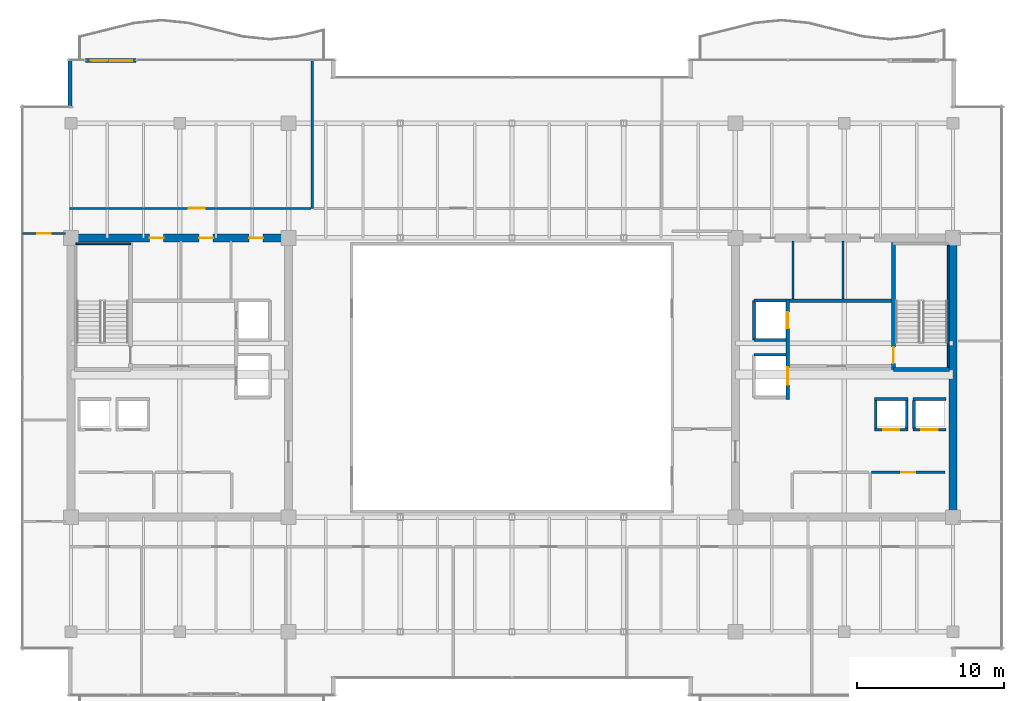
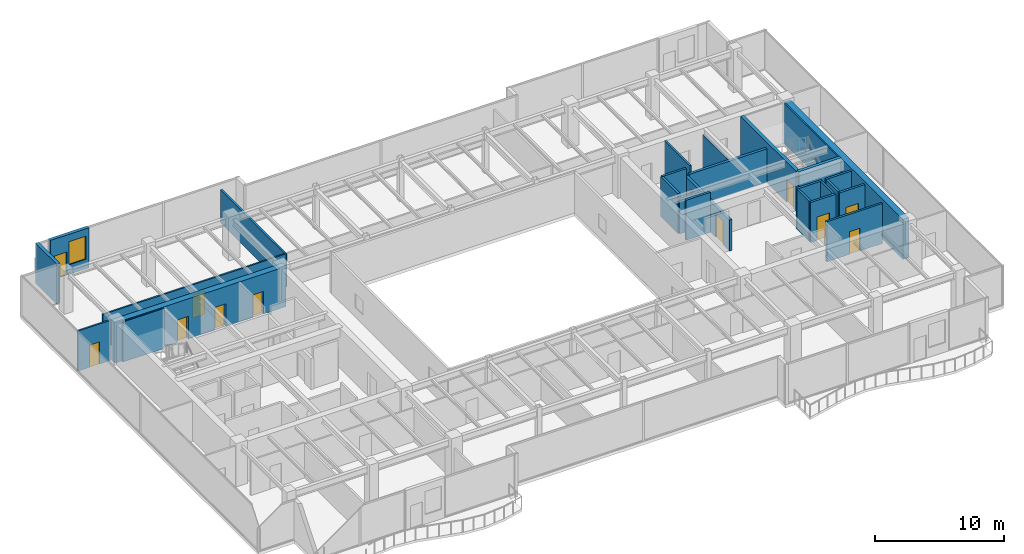
# One storey, part 30 of 34: 27 walls, 12 doors, 1 window, 13 openings.
"""IFC4 building model written with IfcOpenShell, lengths in metres."""

from ifc_helpers import new_model, si_unit, direction, frame, frame_2d, origin, place, context, subcontext, project, spatial, rectangle, extrude, source, transform, mapped, material, layer, layer_set, type_object, type_shapes, element, fill, save


model = new_model("IFC4")

# Units and contexts
model_context = context("Model", 3, precision=1e-05, world=origin(), true_north=direction((0.0, 1.0)))
body_context = subcontext(model_context, "Body", "Model", "MODEL_VIEW")
ifc_project = project(units=[si_unit("LENGTHUNIT", "METRE"), si_unit("AREAUNIT", "SQUARE_METRE"), si_unit("VOLUMEUNIT", "CUBIC_METRE"), si_unit("PLANEANGLEUNIT", "RADIAN"), si_unit("MASSUNIT", "GRAM", prefix="KILO")], contexts=[model_context])

# Site, building, storey
site_placement = place(None, origin())
site = spatial("IfcSite", under=ifc_project, at=site_placement, CompositionType="ELEMENT")
building_placement = place(site_placement, origin())
building = spatial("IfcBuilding", under=site, at=building_placement, Name="Haelvirn Gate Laboratories", CompositionType="ELEMENT")
storey_placement = place(building_placement, frame((0.0, 0.0, 205.5)))
storey = spatial("IfcBuildingStorey", under=building, at=storey_placement, Name="L49", CompositionType="ELEMENT", Elevation=205.5)

# Wall, openings, door, window
ifc_material_1 = material(Name="Thermally-broken bronze aluminium rainscreen & mineral wool", Category="aluminium")
ifc_layer_1 = layer(ifc_material_1, 0.280029296875, Name="EW-TERR-280")
ifc_layer_set_1 = layer_set([ifc_layer_1], Name="Thermally-broken bronze aluminium rainscreen & mineral wool")
wall_type_1 = type_object("IfcWallType", Name="EW-TERR-280", PredefinedType="STANDARD", material=ifc_layer_set_1)
wall_1_placement = place(storey_placement, frame((8.3720703125, 45.860107421875, 0.0), z_axis=(0.0, 0.0, 1.0), x_axis=(1.0, 0.0, 0.0)))
wall_1 = element("IfcWall", 1, at=wall_1_placement, inside=storey, type_object=wall_type_1, Name="L49 Terrace Access Wall WB-WL-N", PredefinedType="STANDARD", context=body_context, shape_type="SweptSolid", body=[
    extrude(rectangle(XDim=3.455810546875, YDim=0.280029296875, at=frame_2d((1.72802734375, 0.0))), origin(), (0.0, 0.0, 1.0), 3.800048828125),
])
opening_1_placement = place(wall_1_placement, frame((0.3779296875, 0.0, 0.0)))
opening_1 = element("IfcOpeningElement", 2, at=opening_1_placement, cuts=wall_1, Name="Opening TD1", PredefinedType="OPENING", context=body_context, shape_type="SweptSolid", body=[
    extrude(rectangle(XDim=1.10009765625, YDim=2.199951171875, at=frame_2d((0.550048828125, 1.10009765625))), frame((0.0, 0.14990234375, 0.0), z_axis=(0.0, -1.0, 0.0), x_axis=(1.0, 0.0, 0.0)), (0.0, 0.0, 1.0), 0.300048828125),
])
opening_2_placement = place(wall_1_placement, frame((1.677978515625, 0.0, 0.89990234375)))
opening_2 = element("IfcOpeningElement", 3, at=opening_2_placement, cuts=wall_1, Name="Opening W3", PredefinedType="OPENING", context=body_context, shape_type="SweptSolid", body=[
    extrude(rectangle(XDim=1.5, YDim=2.199951171875, at=frame_2d((0.75, 1.10009765625))), frame((0.0, 0.14990234375, 0.0), z_axis=(0.0, -1.0, 0.0), x_axis=(1.0, 0.0, 0.0)), (0.0, 0.0, 1.0), 0.300048828125),
])
ifc_material_2 = material(Name="Thermally-broken bronze aluminium glazed terrace door", Category="aluminium")
door_type_1 = type_object("IfcDoorType", Name="DR-TERR-1100", OperationType="NOTDEFINED", PredefinedType="DOOR", material=ifc_material_2)
shared_shape_1 = source(origin(), body_context, "Body", "SweptSolid", [
    extrude(rectangle(XDim=1.10009765625, YDim=2.199951171875, at=frame_2d((0.550048828125, 1.10009765625))), frame((0.0, 0.02490234375, 0.0), z_axis=(0.0, -1.0, 0.0), x_axis=(1.0, 0.0, 0.0)), (0.0, 0.0, 1.0), 0.050048828125),
])
type_shapes(door_type_1, [shared_shape_1])
door_1_placement = place(opening_1_placement, origin())
door_1 = element("IfcDoor", 4, at=door_1_placement, inside=storey, type_object=door_type_1, Name="L49 Terrace Access Door WB-WL-N", OperationType="SINGLE_SWING_RIGHT", OverallHeight=2.199951171875, OverallWidth=1.10009765625, PredefinedType="DOOR", context=body_context, shape_type="MappedRepresentation", body=[
    mapped(shared_shape_1, transform((0.0, 0.0, 0.0), scale=1.0)),
])
fill(opening_1, door_1)
ifc_material_3 = material(Name="Bronze anodised aluminium & triple low-E glass", Category="aluminium")
window_type = type_object("IfcWindowType", Name="WIN-TERR-1600", PartitioningType="SINGLE_PANEL", PredefinedType="WINDOW", material=ifc_material_3)
shared_shape_2 = source(origin(), body_context, "Body", "SweptSolid", [
    extrude(rectangle(XDim=1.5, YDim=2.199951171875, at=frame_2d((0.75, 1.10009765625))), frame((0.0, 0.030029296875, 0.0), z_axis=(0.0, -1.0, 0.0), x_axis=(1.0, 0.0, 0.0)), (0.0, 0.0, 1.0), 0.06005859375),
])
type_shapes(window_type, [shared_shape_2])
window_placement = place(opening_2_placement, origin())
window = element("IfcWindow", 5, at=window_placement, inside=storey, type_object=window_type, Name="L49 Terrace Vision Window WB-WL-N", OverallHeight=2.199951171875, OverallWidth=1.5, PartitioningType="SINGLE_PANEL", PredefinedType="WINDOW", context=body_context, shape_type="MappedRepresentation", body=[
    mapped(shared_shape_2, transform((0.0, 0.0, 0.0), scale=1.0)),
])
fill(opening_2, window)

# Walls
wall_2_placement = place(storey_placement, frame((7.340087890625, 46.0, 0.0), z_axis=(0.0, 0.0, 1.0), x_axis=(0.0, -1.0, 0.0)))
element("IfcWall", 6, at=wall_2_placement, inside=storey, type_object=wall_type_1, Name="L49 Atrium Recess Bronze Return Wall 15", PredefinedType="STANDARD", context=body_context, shape_type="SweptSolid", body=[
    extrude(rectangle(XDim=3.2880859375, YDim=0.280029296875, at=frame_2d((1.64404296875, 0.0))), origin(), (0.0, 0.0, 1.0), 3.800048828125),
])
ifc_material_4 = material(Name="Double-layer acoustic gypsum laboratory partition", Category="gypsum")
ifc_layer_2 = layer(ifc_material_4, 0.159912109375, Name="IW-ACOUST-160")
ifc_layer_set_2 = layer_set([ifc_layer_2], Name="Double-layer acoustic gypsum laboratory partition")
wall_type_2 = type_object("IfcWallType", Name="IW-ACOUST-160", PredefinedType="PARTITIONING", material=ifc_layer_set_2)
wall_3_placement = place(storey_placement, frame((23.800048828125, 35.81005859375, 0.0), z_axis=(0.0, 0.0, 1.0), x_axis=(0.0, 1.0, 0.0)))
element("IfcWall", 7, at=wall_3_placement, inside=storey, type_object=wall_type_2, Name="L49 Interior Wall IW-L49-NDIV-01", PredefinedType="PARTITIONING", context=body_context, shape_type="SweptSolid", body=[
    extrude(rectangle(XDim=10.079833984375, YDim=0.159912109375, at=frame_2d((5.0400390625, 0.0))), origin(), (0.0, 0.0, 1.0), 3.135009765625),
])

# Wall, opening, door
ifc_material_5 = material(Name="Acoustic mineral-wool gypsum board partition", Category="gypsum")
ifc_layer_3 = layer(ifc_material_5, 0.139892578125, Name="IW-PART-140")
ifc_layer_set_3 = layer_set([ifc_layer_3], Name="Acoustic mineral-wool gypsum board partition")
wall_type_3 = type_object("IfcWallType", Name="IW-PART-140", PredefinedType="PARTITIONING", material=ifc_layer_set_3)
wall_4_placement = place(storey_placement, frame((7.31005859375, 35.81005859375, 0.0), z_axis=(0.0, 0.0, 1.0), x_axis=(1.0, 0.0, 0.0)))
wall_4 = element("IfcWall", 8, at=wall_4_placement, inside=storey, type_object=wall_type_3, Name="L49 Interior Wall IW-L49-NCORR-01", PredefinedType="PARTITIONING", context=body_context, shape_type="SweptSolid", body=[
    extrude(rectangle(XDim=16.409912109375, YDim=0.139892578125, at=frame_2d((8.205078125, 0.0))), origin(), (0.0, 0.0, 1.0), 3.197021484375),
])
opening_3_placement = place(wall_4_placement, frame((8.09326171875, 0.0, 0.0)))
opening_3 = element("IfcOpeningElement", 9, at=opening_3_placement, cuts=wall_4, Name="Opening D1", PredefinedType="OPENING", context=body_context, shape_type="SweptSolid", body=[
    extrude(rectangle(XDim=1.10009765625, YDim=2.179931640625, at=frame_2d((0.550048828125, 1.08984375))), frame((0.0, 0.080078125, 0.0), z_axis=(0.0, -1.0, 0.0), x_axis=(1.0, 0.0, 0.0)), (0.0, 0.0, 1.0), 0.159912109375),
])
ifc_material_6 = material(Name="Vision-panel acoustic solid-core timber lab door", Category="wood")
door_type_2 = type_object("IfcDoorType", Name="DR-LAB-1100", OperationType="NOTDEFINED", PredefinedType="DOOR", material=ifc_material_6)
shared_shape_3 = source(origin(), body_context, "Body", "SweptSolid", [
    extrude(rectangle(XDim=1.10009765625, YDim=2.179931640625, at=frame_2d((0.550048828125, 1.08984375))), frame((0.0, 0.02490234375, 0.0), z_axis=(0.0, -1.0, 0.0), x_axis=(1.0, 0.0, 0.0)), (0.0, 0.0, 1.0), 0.050048828125),
])
type_shapes(door_type_2, [shared_shape_3])
door_2_placement = place(opening_3_placement, origin())
door_2 = element("IfcDoor", 10, at=door_2_placement, inside=storey, type_object=door_type_2, Name="L49 Floor Hydration & Tea Servery Door N1", OperationType="SINGLE_SWING_LEFT", OverallHeight=2.179931640625, OverallWidth=1.10009765625, PredefinedType="DOOR", context=body_context, shape_type="MappedRepresentation", body=[
    mapped(shared_shape_3, transform((0.0, 0.0, 0.0), scale=1.0)),
])
fill(opening_3, door_2)

wall_5_placement = place(storey_placement, frame((4.110107421875, 34.094970703125, 0.0), z_axis=(0.0, 0.0, 1.0), x_axis=(1.0, 0.0, 0.0)))
wall_5 = element("IfcWall", 11, at=wall_5_placement, inside=storey, type_object=wall_type_3, Name="L49 Interior Wall IW-L49-WZ3-ENT-N", PredefinedType="PARTITIONING", context=body_context, shape_type="SweptSolid", body=[
    extrude(rectangle(XDim=2.909912109375, YDim=0.139892578125, at=frame_2d((1.455078125, 0.0))), origin(), (0.0, 0.0, 1.0), 3.800048828125),
])
opening_4_placement = place(wall_5_placement, frame((1.0048828125, 0.0, 0.0)))
opening_4 = element("IfcOpeningElement", 12, at=opening_4_placement, cuts=wall_5, Name="Opening D4", PredefinedType="OPENING", context=body_context, shape_type="SweptSolid", body=[
    extrude(rectangle(XDim=0.89990234375, YDim=2.10009765625, at=frame_2d((0.449951171875, 1.050048828125))), frame((0.0, 0.080078125, 0.0), z_axis=(0.0, -1.0, 0.0), x_axis=(1.0, 0.0, 0.0)), (0.0, 0.0, 1.0), 0.159912109375),
])
ifc_material_7 = material(Name="Glazed aluminium-framed write-up door", Category="aluminium")
door_type_3 = type_object("IfcDoorType", Name="DR-OFF-900", OperationType="NOTDEFINED", PredefinedType="DOOR", material=ifc_material_7)
shared_shape_4 = source(origin(), body_context, "Body", "SweptSolid", [
    extrude(rectangle(XDim=0.89990234375, YDim=2.10009765625, at=frame_2d((0.449951171875, 1.050048828125))), frame((0.0, 0.02490234375, 0.0), z_axis=(0.0, -1.0, 0.0), x_axis=(1.0, 0.0, 0.0)), (0.0, 0.0, 1.0), 0.050048828125),
])
type_shapes(door_type_3, [shared_shape_4])
door_3_placement = place(opening_4_placement, origin())
door_3 = element("IfcDoor", 13, at=door_3_placement, inside=storey, type_object=door_type_3, Name="L49 Bioinformatics Dry-Lab Workspace Door W-N", OperationType="SINGLE_SWING_RIGHT", OverallHeight=2.10009765625, OverallWidth=0.89990234375, PredefinedType="DOOR", context=body_context, shape_type="MappedRepresentation", body=[
    mapped(shared_shape_4, transform((0.0, 0.0, 0.0), scale=1.0)),
])
fill(opening_4, door_3)

# Walls
ifc_material_8 = material(Name="Cement-board restroom plumbing chase wall", Category="gypsum")
ifc_layer_4 = layer(ifc_material_8, 0.155029296875, Name="IW-PLUMB-160")
ifc_layer_set_4 = layer_set([ifc_layer_4], Name="Cement-board restroom plumbing chase wall")
wall_type_4 = type_object("IfcWallType", Name="IW-PLUMB-160", PredefinedType="PLUMBINGWALL", material=ifc_layer_set_4)
wall_6_placement = place(storey_placement, frame((59.909912109375, 29.64990234375, 0.0), z_axis=(0.0, 0.0, 1.0), x_axis=(0.0, 1.0, 0.0)))
element("IfcWall", 14, at=wall_6_placement, inside=storey, type_object=wall_type_4, Name="L49 Interior Wall IW-L49-E-CDIV-1", PredefinedType="PLUMBINGWALL", context=body_context, shape_type="SweptSolid", body=[
    extrude(rectangle(XDim=3.93017578125, YDim=0.155029296875, at=frame_2d((1.965087890625, 0.0))), origin(), (0.0, 0.0, 1.0), 3.197021484375),
])
wall_7_placement = place(storey_placement, frame((56.510009765625, 29.64990234375, 0.0), z_axis=(0.0, 0.0, 1.0), x_axis=(0.0, 1.0, 0.0)))
element("IfcWall", 15, at=wall_7_placement, inside=storey, type_object=wall_type_4, Name="L49 Interior Wall IW-L49-E-CDIV-2", PredefinedType="PLUMBINGWALL", context=body_context, shape_type="SweptSolid", body=[
    extrude(rectangle(XDim=3.93017578125, YDim=0.155029296875, at=frame_2d((1.965087890625, 0.0))), origin(), (0.0, 0.0, 1.0), 3.800048828125),
])
ifc_material_9 = material(Name="Concrete C40/50", Category="concrete")
ifc_layer_5 = layer(ifc_material_9, 0.179931640625, Name="IW-SHAFT-180")
ifc_layer_set_5 = layer_set([ifc_layer_5], Name="Concrete C40/50")
wall_type_5 = type_object("IfcWallType", Name="IW-SHAFT-180", PredefinedType="SOLIDWALL", material=ifc_layer_set_5)
for number, where, z_axis, x_axis, name in (
    (16, (64.75, 20.85009765625, 0.0), (0.0, 0.0, 1.0), (0.0, 1.0, 0.0), "L49 Interior Wall IW-L49-PL11-SD"),
    (17, (62.14990234375, 20.85009765625, 0.0), (0.0, 0.0, 1.0), (0.0, 1.0, 0.0), "L49 Interior Wall IW-L49-PL12-SD"),
    (18, (64.25, 20.85009765625, 0.0), (0.0, 0.0, 1.0), (0.0, 1.0, 0.0), "L49 Interior Wall IW-L49-PL12-SDE"),
):
    element("IfcWall", number, at=place(storey_placement, frame(where, z_axis=z_axis, x_axis=x_axis)), inside=storey, type_object=wall_type_5, Name=name, PredefinedType="SOLIDWALL", context=body_context, shape_type="SweptSolid", body=[
        extrude(rectangle(XDim=1.89990234375, YDim=0.179931640625, at=frame_2d((0.949951171875, 0.0))), origin(), (0.0, 0.0, 1.0), 3.800048828125),
    ])

# Wall, opening, door
wall_8_placement = place(storey_placement, frame((61.85009765625, 17.85009765625, 0.0), z_axis=(0.0, 0.0, 1.0), x_axis=(1.0, 0.0, 0.0)))
wall_8 = element("IfcWall", 19, at=wall_8_placement, inside=storey, type_object=wall_type_5, Name="L49 Interior Wall IW-L49-E-FREED-HN-1", PredefinedType="SOLIDWALL", context=body_context, shape_type="SweptSolid", body=[
    extrude(rectangle(XDim=5.0, YDim=0.179931640625, at=frame_2d((2.5, 0.0))), origin(), (0.0, 0.0, 1.0), 3.800048828125),
])
opening_5_placement = place(wall_8_placement, frame((2.02490234375, 0.0, 0.0)))
opening_5 = element("IfcOpeningElement", 20, at=opening_5_placement, cuts=wall_8, Name="Opening FD4", PredefinedType="OPENING", context=body_context, shape_type="SweptSolid", body=[
    extrude(rectangle(XDim=0.949951171875, YDim=2.14990234375, at=frame_2d((0.47509765625, 1.074951171875))), frame((0.0, 0.10009765625, 0.0), z_axis=(0.0, -1.0, 0.0), x_axis=(1.0, 0.0, 0.0)), (0.0, 0.0, 1.0), 0.199951171875),
])
ifc_material_10 = material(Name="Fire-rated steel SM355 core service door", Category="steel")
door_type_4 = type_object("IfcDoorType", Name="DR-FD-950", OperationType="NOTDEFINED", PredefinedType="DOOR", material=ifc_material_10)
shared_shape_5 = source(origin(), body_context, "Body", "SweptSolid", [
    extrude(rectangle(XDim=0.949951171875, YDim=2.14990234375, at=frame_2d((0.47509765625, 1.074951171875))), frame((0.0, 0.02490234375, 0.0), z_axis=(0.0, -1.0, 0.0), x_axis=(1.0, 0.0, 0.0)), (0.0, 0.0, 1.0), 0.050048828125),
])
type_shapes(door_type_4, [shared_shape_5])
door_4_placement = place(opening_5_placement, origin())
door_4 = element("IfcDoor", 21, at=door_4_placement, inside=storey, type_object=door_type_4, Name="L49 Cryogenic Specimen Biobank Door", OperationType="SINGLE_SWING_LEFT", OverallHeight=2.14990234375, OverallWidth=0.949951171875, PredefinedType="DOOR", context=body_context, shape_type="MappedRepresentation", body=[
    mapped(shared_shape_5, transform((0.0, 0.0, 0.0), scale=1.0)),
])
fill(opening_5, door_4)

ifc_layer_6 = layer(ifc_material_9, 0.199951171875, Name="IW-SHAFT-200")
ifc_layer_set_6 = layer_set([ifc_layer_6], Name="Concrete C40/50")
wall_type_6 = type_object("IfcWallType", Name="IW-SHAFT-200", PredefinedType="SOLIDWALL", material=ifc_layer_set_6)
wall_9_placement = place(storey_placement, frame((64.669921875, 20.75, 0.0), z_axis=(0.0, 0.0, 1.0), x_axis=(1.0, 0.0, 0.0)))
wall_9 = element("IfcWall", 22, at=wall_9_placement, inside=storey, type_object=wall_type_6, Name="L49 Interior Wall IW-L49-PL11-FR", PredefinedType="SOLIDWALL", context=body_context, shape_type="SweptSolid", body=[
    extrude(rectangle(XDim=2.260009765625, YDim=0.199951171875, at=frame_2d((1.1298828125, 0.0))), origin(), (0.0, 0.0, 1.0), 3.800048828125),
])
opening_6_placement = place(wall_9_placement, frame((0.580078125, 0.0, 0.0)))
opening_6 = element("IfcOpeningElement", 23, at=opening_6_placement, cuts=wall_9, Name="Opening LD2", PredefinedType="OPENING", context=body_context, shape_type="SweptSolid", body=[
    extrude(rectangle(XDim=1.10009765625, YDim=2.219970703125, at=frame_2d((0.550048828125, 1.10986328125))), frame((0.0, 0.10986328125, 0.0), z_axis=(0.0, -1.0, 0.0), x_axis=(1.0, 0.0, 0.0)), (0.0, 0.0, 1.0), 0.219970703125),
])
ifc_material_11 = material(Name="Bronze stainless 316L sliding lift landing door")
door_type_5 = type_object("IfcDoorType", Name="DR-LD-1100", OperationType="NOTDEFINED", PredefinedType="USERDEFINED", material=ifc_material_11)
shared_shape_6 = source(origin(), body_context, "Body", "SweptSolid", [
    extrude(rectangle(XDim=1.10009765625, YDim=2.219970703125, at=frame_2d((0.550048828125, 1.10986328125))), frame((0.0, 0.02490234375, 0.0), z_axis=(0.0, -1.0, 0.0), x_axis=(1.0, 0.0, 0.0)), (0.0, 0.0, 1.0), 0.050048828125),
])
type_shapes(door_type_5, [shared_shape_6])
door_5_placement = place(opening_6_placement, origin())
door_5 = element("IfcDoor", 24, at=door_5_placement, inside=storey, type_object=door_type_5, Name="L49 Passenger Lift PL11 Landing Door", ObjectType="LANDING_DOOR", OperationType="SLIDING_TO_LEFT", OverallHeight=2.219970703125, OverallWidth=1.10009765625, PredefinedType="USERDEFINED", context=body_context, shape_type="MappedRepresentation", body=[
    mapped(shared_shape_6, transform((0.0, 0.0, 0.0), scale=1.0)),
])
fill(opening_6, door_5)

# Wall
wall_10_placement = place(storey_placement, frame((64.669921875, 22.85009765625, 0.0), z_axis=(0.0, 0.0, 1.0), x_axis=(1.0, 0.0, 0.0)))
element("IfcWall", 25, at=wall_10_placement, inside=storey, type_object=wall_type_6, Name="L49 Interior Wall IW-L49-PL11-BK", PredefinedType="SOLIDWALL", context=body_context, shape_type="SweptSolid", body=[
    extrude(rectangle(XDim=2.260009765625, YDim=0.199951171875, at=frame_2d((1.1298828125, 0.0))), origin(), (0.0, 0.0, 1.0), 3.800048828125),
])

# Wall, opening, door
wall_11_placement = place(storey_placement, frame((62.070068359375, 20.75, 0.0), z_axis=(0.0, 0.0, 1.0), x_axis=(1.0, 0.0, 0.0)))
wall_11 = element("IfcWall", 26, at=wall_11_placement, inside=storey, type_object=wall_type_6, Name="L49 Interior Wall IW-L49-PL12-FR", PredefinedType="SOLIDWALL", context=body_context, shape_type="SweptSolid", body=[
    extrude(rectangle(XDim=2.260009765625, YDim=0.199951171875, at=frame_2d((1.1298828125, 0.0))), origin(), (0.0, 0.0, 1.0), 3.800048828125),
])
opening_7_placement = place(wall_11_placement, frame((0.580078125, 0.0, 0.0)))
opening_7 = element("IfcOpeningElement", 27, at=opening_7_placement, cuts=wall_11, Name="Opening LD2", PredefinedType="OPENING", context=body_context, shape_type="SweptSolid", body=[
    extrude(rectangle(XDim=1.10009765625, YDim=2.219970703125, at=frame_2d((0.550048828125, 1.10986328125))), frame((0.0, 0.10986328125, 0.0), z_axis=(0.0, -1.0, 0.0), x_axis=(1.0, 0.0, 0.0)), (0.0, 0.0, 1.0), 0.219970703125),
])
door_6_placement = place(opening_7_placement, origin())
door_6 = element("IfcDoor", 28, at=door_6_placement, inside=storey, type_object=door_type_5, Name="L49 Passenger Lift PL12 Landing Door", ObjectType="LANDING_DOOR", OperationType="SLIDING_TO_RIGHT", OverallHeight=2.219970703125, OverallWidth=1.10009765625, PredefinedType="USERDEFINED", context=body_context, shape_type="MappedRepresentation", body=[
    mapped(shared_shape_6, transform((0.0, 0.0, 0.0), scale=1.0)),
])
fill(opening_7, door_6)

# Walls
wall_12_placement = place(storey_placement, frame((62.070068359375, 22.85009765625, 0.0), z_axis=(0.0, 0.0, 1.0), x_axis=(1.0, 0.0, 0.0)))
element("IfcWall", 29, at=wall_12_placement, inside=storey, type_object=wall_type_6, Name="L49 Interior Wall IW-L49-PL12-BK", PredefinedType="SOLIDWALL", context=body_context, shape_type="SweptSolid", body=[
    extrude(rectangle(XDim=2.260009765625, YDim=0.199951171875, at=frame_2d((1.1298828125, 0.0))), origin(), (0.0, 0.0, 1.0), 3.800048828125),
])
wall_13_placement = place(storey_placement, frame((53.85009765625, 26.85009765625, 0.0), z_axis=(0.0, 0.0, 1.0), x_axis=(0.0, 1.0, 0.0)))
element("IfcWall", 30, at=wall_13_placement, inside=storey, type_object=wall_type_6, Name="L49 Interior Wall IW-L49-FL2-BK", PredefinedType="SOLIDWALL", context=body_context, shape_type="SweptSolid", body=[
    extrude(rectangle(XDim=2.699951171875, YDim=0.199951171875, at=frame_2d((1.35009765625, 0.0))), origin(), (0.0, 0.0, 1.0), 3.800048828125),
])
wall_14_placement = place(storey_placement, frame((53.85009765625, 29.550048828125, 0.0), z_axis=(0.0, 0.0, 1.0), x_axis=(1.0, 0.0, 0.0)))
element("IfcWall", 31, at=wall_14_placement, inside=storey, type_object=wall_type_6, Name="L49 Interior Wall IW-L49-FL2-N", PredefinedType="SOLIDWALL", context=body_context, shape_type="SweptSolid", body=[
    extrude(rectangle(XDim=2.18994140625, YDim=0.199951171875, at=frame_2d((1.094970703125, 0.0))), origin(), (0.0, 0.0, 1.0), 3.800048828125),
])
wall_15_placement = place(storey_placement, frame((53.85009765625, 26.85009765625, 0.0), z_axis=(0.0, 0.0, 1.0), x_axis=(1.0, 0.0, 0.0)))
element("IfcWall", 32, at=wall_15_placement, inside=storey, type_object=wall_type_6, Name="L49 Interior Wall IW-L49-FL2-S", PredefinedType="SOLIDWALL", context=body_context, shape_type="SweptSolid", body=[
    extrude(rectangle(XDim=2.18994140625, YDim=0.199951171875, at=frame_2d((1.094970703125, 0.0))), origin(), (0.0, 0.0, 1.0), 3.197021484375),
])
wall_16_placement = place(storey_placement, frame((53.85009765625, 25.85009765625, 0.0), z_axis=(0.0, 0.0, 1.0), x_axis=(1.0, 0.0, 0.0)))
element("IfcWall", 33, at=wall_16_placement, inside=storey, type_object=wall_type_6, Name="L49 Interior Wall IW-L49-SL2-N", PredefinedType="SOLIDWALL", context=body_context, shape_type="SweptSolid", body=[
    extrude(rectangle(XDim=2.18994140625, YDim=0.199951171875, at=frame_2d((1.094970703125, 0.0))), origin(), (0.0, 0.0, 1.0), 3.800048828125),
])
ifc_layer_7 = layer(ifc_material_9, 0.239990234375, Name="IW-SHAFT-240")
ifc_layer_set_7 = layer_set([ifc_layer_7], Name="Concrete C40/50")
wall_type_7 = type_object("IfcWallType", Name="IW-SHAFT-240", PredefinedType="SOLIDWALL", material=ifc_layer_set_7)
wall_17_placement = place(storey_placement, frame((56.280029296875, 29.52001953125, 0.0), z_axis=(0.0, 0.0, 1.0), x_axis=(1.0, 0.0, 0.0)))
element("IfcWall", 34, at=wall_17_placement, inside=storey, type_object=wall_type_7, Name="L49 Interior Wall IW-L49-E-FF-N", PredefinedType="SOLIDWALL", context=body_context, shape_type="SweptSolid", body=[
    extrude(rectangle(XDim=6.919921875, YDim=0.239990234375, at=frame_2d((3.4599609375, 0.0))), origin(), (0.0, 0.0, 1.0), 3.197021484375),
])

# Wall, openings, doors
wall_18_placement = place(storey_placement, frame((56.159912109375, 22.800048828125, 0.0), z_axis=(0.0, 0.0, 1.0), x_axis=(0.0, 1.0, 0.0)))
wall_18 = element("IfcWall", 35, at=wall_18_placement, inside=storey, type_object=wall_type_7, Name="L49 Interior Wall IW-L49-E-FF-E", PredefinedType="SOLIDWALL", context=body_context, shape_type="SweptSolid", body=[
    extrude(rectangle(XDim=6.849853515625, YDim=0.239990234375, at=frame_2d((3.4248046875, 0.0))), origin(), (0.0, 0.0, 1.0), 2.93505859375),
])
opening_8_placement = place(wall_18_placement, frame((4.85009765625, 0.0, 0.0)))
opening_8 = element("IfcOpeningElement", 36, at=opening_8_placement, cuts=wall_18, Name="Opening LD2", PredefinedType="OPENING", context=body_context, shape_type="SweptSolid", body=[
    extrude(rectangle(XDim=1.10009765625, YDim=2.219970703125, at=frame_2d((0.550048828125, 1.10986328125))), frame((0.0, 0.1298828125, 0.0), z_axis=(0.0, -1.0, 0.0), x_axis=(1.0, 0.0, 0.0)), (0.0, 0.0, 1.0), 0.260009765625),
])
opening_9_placement = place(wall_18_placement, frame((1.0, 0.0, 0.0)))
opening_9 = element("IfcOpeningElement", 37, at=opening_9_placement, cuts=wall_18, Name="Opening LD1", PredefinedType="OPENING", context=body_context, shape_type="SweptSolid", body=[
    extrude(rectangle(XDim=1.199951171875, YDim=2.219970703125, at=frame_2d((0.60009765625, 1.10986328125))), frame((0.0, 0.1298828125, 0.0), z_axis=(0.0, -1.0, 0.0), x_axis=(1.0, 0.0, 0.0)), (0.0, 0.0, 1.0), 0.260009765625),
])
door_7_placement = place(opening_8_placement, origin())
door_7 = element("IfcDoor", 38, at=door_7_placement, inside=storey, type_object=door_type_5, Name="L49 Firefighting Lift FL2 Landing Door", ObjectType="LANDING_DOOR", OperationType="SLIDING_TO_RIGHT", OverallHeight=2.219970703125, OverallWidth=1.10009765625, PredefinedType="USERDEFINED", context=body_context, shape_type="MappedRepresentation", body=[
    mapped(shared_shape_6, transform((0.0, 0.0, 0.0), scale=1.0)),
])
fill(opening_8, door_7)
ifc_material_12 = material(Name="Stainless steel 316L sliding goods landing door", Category="steel")
door_type_6 = type_object("IfcDoorType", Name="DR-LD-1200", OperationType="NOTDEFINED", PredefinedType="USERDEFINED", material=ifc_material_12)
shared_shape_7 = source(origin(), body_context, "Body", "SweptSolid", [
    extrude(rectangle(XDim=1.199951171875, YDim=2.219970703125, at=frame_2d((0.60009765625, 1.10986328125))), frame((0.0, 0.02490234375, 0.0), z_axis=(0.0, -1.0, 0.0), x_axis=(1.0, 0.0, 0.0)), (0.0, 0.0, 1.0), 0.050048828125),
])
type_shapes(door_type_6, [shared_shape_7])
door_8_placement = place(opening_9_placement, origin())
door_8 = element("IfcDoor", 39, at=door_8_placement, inside=storey, type_object=door_type_6, Name="L49 Service Lift SL2 Landing Door", ObjectType="LANDING_DOOR", OperationType="SLIDING_TO_LEFT", OverallHeight=2.219970703125, OverallWidth=1.199951171875, PredefinedType="USERDEFINED", context=body_context, shape_type="MappedRepresentation", body=[
    mapped(shared_shape_7, transform((0.0, 0.0, 0.0), scale=1.0)),
])
fill(opening_9, door_8)

ifc_material_13 = material(Name="Concrete C50/60", Category="concrete")
ifc_layer_8 = layer(ifc_material_13, 0.550048828125, Name="SW-CORE-550")
ifc_layer_set_8 = layer_set([ifc_layer_8], Name="Concrete C50/60")
wall_type_8 = type_object("IfcWallType", Name="SW-CORE-550", PredefinedType="SHEAR", material=ifc_layer_set_8)
wall_19_placement = place(storey_placement, frame((7.125, 33.800048828125, 0.0), z_axis=(0.0, 0.0, 1.0), x_axis=(1.0, 0.0, 0.0)))
wall_19 = element("IfcWall", 40, at=wall_19_placement, inside=storey, type_object=wall_type_8, Name="L49 W Core Shear Wall N", PredefinedType="SHEAR", context=body_context, shape_type="SweptSolid", body=[
    extrude(rectangle(XDim=15.35009765625, YDim=0.550048828125, at=frame_2d((7.675048828125, 0.0))), origin(), (0.0, 0.0, 1.0), 3.800048828125),
])
opening_10_placement = place(wall_19_placement, frame((5.625, 0.0, 0.0)))
opening_10 = element("IfcOpeningElement", 41, at=opening_10_placement, cuts=wall_19, Name="Opening FD4", PredefinedType="OPENING", context=body_context, shape_type="SweptSolid", body=[
    extrude(rectangle(XDim=0.949951171875, YDim=2.14990234375, at=frame_2d((0.47509765625, 1.074951171875))), frame((0.0, 0.28515625, 0.0), z_axis=(0.0, -1.0, 0.0), x_axis=(1.0, 0.0, 0.0)), (0.0, 0.0, 1.0), 0.570068359375),
])
opening_11_placement = place(wall_19_placement, frame((8.989990234375, 0.0, 0.0)))
opening_11 = element("IfcOpeningElement", 42, at=opening_11_placement, cuts=wall_19, Name="Opening FD4", PredefinedType="OPENING", context=body_context, shape_type="SweptSolid", body=[
    extrude(rectangle(XDim=0.949951171875, YDim=2.14990234375, at=frame_2d((0.47509765625, 1.074951171875))), frame((0.0, 0.28515625, 0.0), z_axis=(0.0, -1.0, 0.0), x_axis=(1.0, 0.0, 0.0)), (0.0, 0.0, 1.0), 0.570068359375),
])
opening_12_placement = place(wall_19_placement, frame((12.389892578125, 0.0, 0.0)))
opening_12 = element("IfcOpeningElement", 43, at=opening_12_placement, cuts=wall_19, Name="Opening FD4", PredefinedType="OPENING", context=body_context, shape_type="SweptSolid", body=[
    extrude(rectangle(XDim=0.949951171875, YDim=2.14990234375, at=frame_2d((0.47509765625, 1.074951171875))), frame((0.0, 0.28515625, 0.0), z_axis=(0.0, -1.0, 0.0), x_axis=(1.0, 0.0, 0.0)), (0.0, 0.0, 1.0), 0.570068359375),
])
door_9_placement = place(opening_10_placement, origin())
door_9 = element("IfcDoor", 44, at=door_9_placement, inside=storey, type_object=door_type_4, Name="L49 Male Restroom Fire Door", OperationType="SINGLE_SWING_RIGHT", OverallHeight=2.14990234375, OverallWidth=0.949951171875, PredefinedType="DOOR", context=body_context, shape_type="MappedRepresentation", body=[
    mapped(shared_shape_5, transform((0.0, 0.0, 0.0), scale=1.0)),
])
fill(opening_10, door_9)
door_10_placement = place(opening_11_placement, origin())
door_10 = element("IfcDoor", 45, at=door_10_placement, inside=storey, type_object=door_type_4, Name="L49 Female Restroom Fire Door", OperationType="SINGLE_SWING_LEFT", OverallHeight=2.14990234375, OverallWidth=0.949951171875, PredefinedType="DOOR", context=body_context, shape_type="MappedRepresentation", body=[
    mapped(shared_shape_5, transform((0.0, 0.0, 0.0), scale=1.0)),
])
fill(opening_11, door_10)
door_11_placement = place(opening_12_placement, origin())
door_11 = element("IfcDoor", 46, at=door_11_placement, inside=storey, type_object=door_type_4, Name="L49 Accessible Restroom Fire Door", OperationType="SINGLE_SWING_RIGHT", OverallHeight=2.14990234375, OverallWidth=0.949951171875, PredefinedType="DOOR", context=body_context, shape_type="MappedRepresentation", body=[
    mapped(shared_shape_5, transform((0.0, 0.0, 0.0), scale=1.0)),
])
fill(opening_12, door_11)

# Walls
wall_20_placement = place(storey_placement, frame((67.39990234375, 15.074951171875, 0.0), z_axis=(0.0, 0.0, 1.0), x_axis=(0.0, 1.0, 0.0)))
element("IfcWall", 47, at=wall_20_placement, inside=storey, type_object=wall_type_8, Name="L49 E Core Shear Wall E", PredefinedType="SHEAR", context=body_context, shape_type="SweptSolid", body=[
    extrude(rectangle(XDim=18.449951171875, YDim=0.550048828125, at=frame_2d((9.22509765625, 0.0))), origin(), (0.0, 0.0, 1.0), 3.800048828125),
])
ifc_layer_9 = layer(ifc_material_13, 0.1201171875, Name="SW-LINER-120")
ifc_layer_set_9 = layer_set([ifc_layer_9], Name="Concrete C50/60")
wall_type_9 = type_object("IfcWallType", Name="SW-LINER-120", PredefinedType="SOLIDWALL", material=ifc_layer_set_9)
wall_21_placement = place(storey_placement, frame((7.72998046875, 33.39990234375, 0.0), z_axis=(0.0, 0.0, 1.0), x_axis=(1.0, 0.0, 0.0)))
element("IfcWall", 48, at=wall_21_placement, inside=storey, type_object=wall_type_9, Name="L49 W Core Stair Shaft Liner Wall N", PredefinedType="SOLIDWALL", context=body_context, shape_type="SweptSolid", body=[
    extrude(rectangle(XDim=3.719970703125, YDim=0.1201171875, at=frame_2d((1.85986328125, 0.0))), origin(), (0.0, 0.0, 1.0), 3.800048828125),
])
wall_22_placement = place(storey_placement, frame((67.070068359375, 25.0, 0.0), z_axis=(0.0, 0.0, 1.0), x_axis=(0.0, 1.0, 0.0)))
element("IfcWall", 49, at=wall_22_placement, inside=storey, type_object=wall_type_9, Name="L49 E Core Stair Shaft Liner Wall OUT", PredefinedType="SOLIDWALL", context=body_context, shape_type="SweptSolid", body=[
    extrude(rectangle(XDim=8.320068359375, YDim=0.1201171875, at=frame_2d((4.16015625, 0.0))), origin(), (0.0, 0.0, 1.0), 3.800048828125),
])

# Wall, opening, door
ifc_layer_10 = layer(ifc_material_13, 0.300048828125, Name="SW-STAIR-300")
ifc_layer_set_10 = layer_set([ifc_layer_10], Name="Concrete C50/60")
wall_type_10 = type_object("IfcWallType", Name="SW-STAIR-300", PredefinedType="SHEAR", material=ifc_layer_set_10)
wall_23_placement = place(storey_placement, frame((63.35009765625, 24.85009765625, 0.0), z_axis=(0.0, 0.0, 1.0), x_axis=(0.0, 1.0, 0.0)))
wall_23 = element("IfcWall", 50, at=wall_23_placement, inside=storey, type_object=wall_type_10, Name="L49 E Core Stair Shaft Structural Wall IN", PredefinedType="SHEAR", context=body_context, shape_type="SweptSolid", body=[
    extrude(rectangle(XDim=8.6298828125, YDim=0.300048828125, at=frame_2d((4.31494140625, 0.0))), origin(), (0.0, 0.0, 1.0), 3.800048828125),
])
opening_13_placement = place(wall_23_placement, frame((0.419921875, 0.0, 0.0)))
opening_13 = element("IfcOpeningElement", 51, at=opening_13_placement, cuts=wall_23, Name="Opening FD3", PredefinedType="OPENING", context=body_context, shape_type="SweptSolid", body=[
    extrude(rectangle(XDim=1.10009765625, YDim=2.14990234375, at=frame_2d((0.550048828125, 1.074951171875))), frame((0.0, 0.16015625, 0.0), z_axis=(0.0, -1.0, 0.0), x_axis=(1.0, 0.0, 0.0)), (0.0, 0.0, 1.0), 0.320068359375),
])
ifc_material_14 = material(Name="Fire-rated steel SM355 escape stair door", Category="steel")
door_type_7 = type_object("IfcDoorType", Name="DR-FD-1100", OperationType="NOTDEFINED", PredefinedType="DOOR", material=ifc_material_14)
shared_shape_8 = source(origin(), body_context, "Body", "SweptSolid", [
    extrude(rectangle(XDim=1.10009765625, YDim=2.14990234375, at=frame_2d((0.550048828125, 1.074951171875))), frame((0.0, 0.02490234375, 0.0), z_axis=(0.0, -1.0, 0.0), x_axis=(1.0, 0.0, 0.0)), (0.0, 0.0, 1.0), 0.050048828125),
])
type_shapes(door_type_7, [shared_shape_8])
door_12_placement = place(opening_13_placement, origin())
door_12 = element("IfcDoor", 52, at=door_12_placement, inside=storey, type_object=door_type_7, Name="L49 Escape Stair ST2 Fire Door", OperationType="SINGLE_SWING_RIGHT", OverallHeight=2.14990234375, OverallWidth=1.10009765625, PredefinedType="DOOR", context=body_context, shape_type="MappedRepresentation", body=[
    mapped(shared_shape_8, transform((0.0, 0.0, 0.0), scale=1.0)),
])
fill(opening_13, door_12)

# Wall
wall_24_placement = place(storey_placement, frame((63.35009765625, 24.85009765625, 0.0), z_axis=(0.0, 0.0, 1.0), x_axis=(1.0, 0.0, 0.0)))
element("IfcWall", 53, at=wall_24_placement, inside=storey, type_object=wall_type_10, Name="L49 E Core Stair Shaft Structural Wall S", PredefinedType="SHEAR", context=body_context, shape_type="SweptSolid", body=[
    extrude(rectangle(XDim=3.7998046875, YDim=0.300048828125, at=frame_2d((1.89990234375, 0.0))), origin(), (0.0, 0.0, 1.0), 3.800048828125),
])

save(model, "model.ifc")
